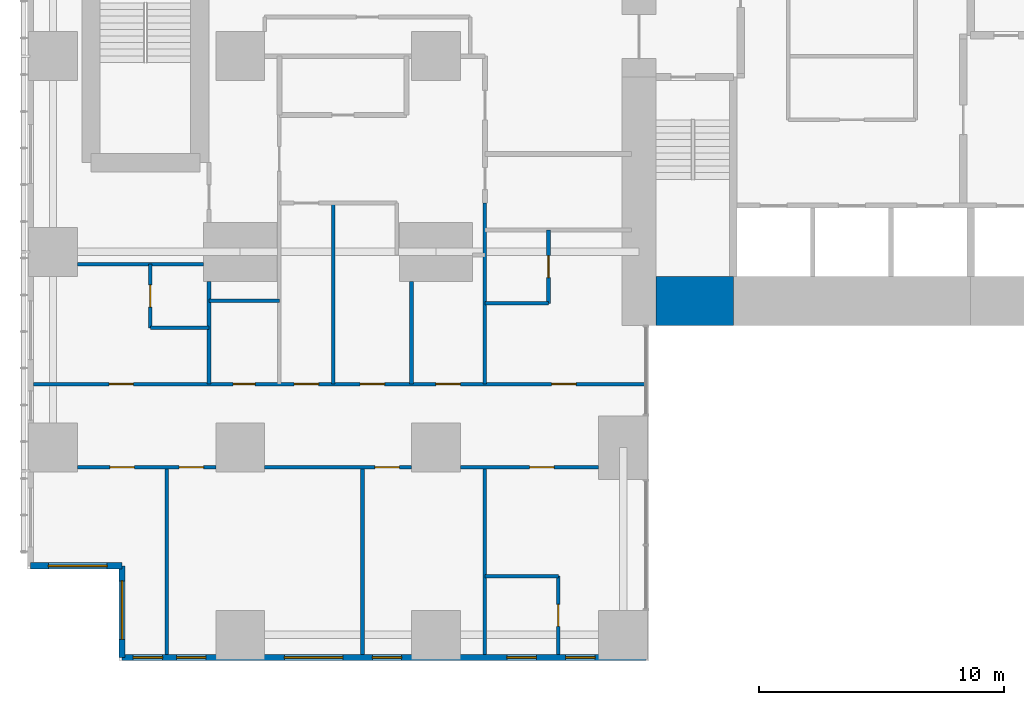
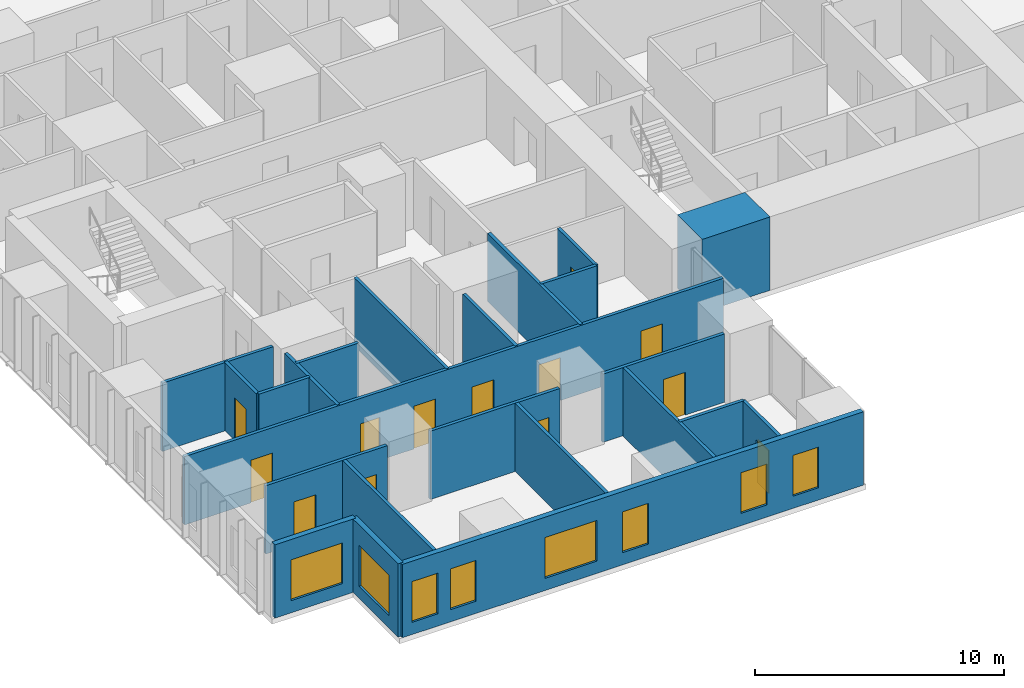
# One storey, part 12 of 21: 23 walls, 13 doors, 8 windows, 21 openings.
"""IFC4 building model written with IfcOpenShell, lengths in metres."""

from ifc_helpers import new_model, si_unit, direction, frame, frame_2d, origin, place, context, subcontext, project, spatial, rectangle, extrude, material, layer, layer_set, type_object, element, fill, save


model = new_model("IFC4")

# Units and contexts
model_context = context("Model", 3, precision=1e-05, world=origin(), true_north=direction((0.0, 1.0)))
body_context = subcontext(model_context, "Body", "Model", "MODEL_VIEW")
ifc_project = project(units=[si_unit("LENGTHUNIT", "METRE"), si_unit("AREAUNIT", "SQUARE_METRE"), si_unit("VOLUMEUNIT", "CUBIC_METRE"), si_unit("PLANEANGLEUNIT", "RADIAN"), si_unit("MASSUNIT", "GRAM", prefix="KILO")], contexts=[model_context])

# Site, building, storey
site_placement = place(None, origin())
site = spatial("IfcSite", under=ifc_project, at=site_placement, CompositionType="ELEMENT")
building_placement = place(site_placement, origin())
building = spatial("IfcBuilding", under=site, at=building_placement, Name="Cleftline Residences", CompositionType="ELEMENT")
storey_placement = place(building_placement, frame((0.0, 0.0, 58.39990234375)))
storey = spatial("IfcBuildingStorey", under=building, at=storey_placement, Name="L14", CompositionType="ELEMENT", Elevation=58.39990234375)

# Wall
ifc_material_1 = material(Name="Concrete B70", Category="concrete")
ifc_layer_1 = layer(ifc_material_1, 2.0)
ifc_layer_set_1 = layer_set([ifc_layer_1], Name="CORE WALL 2000")
wall_type_1 = type_object("IfcWallType", Name="CORE WALL 2000", PredefinedType="SHEAR", material=ifc_layer_set_1)
wall_1_placement = place(storey_placement, frame((25.0, 14.0, 0.0), z_axis=(0.0, 0.0, 1.0), x_axis=(1.0, 0.0, 0.0)))
element("IfcWall", 1, at=wall_1_placement, inside=storey, type_object=wall_type_1, Name="Core wall S1", PredefinedType="SHEAR", context=body_context, shape_type="SweptSolid", body=[
    extrude(rectangle(XDim=3.14990234375, YDim=2.0, at=frame_2d((1.574951171875, 0.0))), origin(), (0.0, 0.0, 1.0), 3.60009765625),
])

# Wall, opening, window
ifc_material_2 = material(Name="Rendered reinforced concrete blockwork", Category="masonry")
ifc_layer_2 = layer(ifc_material_2, 0.25)
ifc_layer_set_2 = layer_set([ifc_layer_2], Name="EXTERNAL WALL 250")
wall_type_2 = type_object("IfcWallType", Name="EXTERNAL WALL 250", PredefinedType="SOLIDWALL", material=ifc_layer_set_2)
wall_2_placement = place(storey_placement, frame((-0.574951171875, 3.175048828125, 0.0), z_axis=(0.0, 0.0, 1.0), x_axis=(1.0, 0.0, 0.0)))
wall_2 = element("IfcWall", 2, at=wall_2_placement, inside=storey, type_object=wall_type_2, Name="External wall", PredefinedType="SOLIDWALL", context=body_context, shape_type="SweptSolid", body=[
    extrude(rectangle(XDim=3.75, YDim=0.25, at=frame_2d((1.875, 0.0))), origin(), (0.0, 0.0, 1.0), 3.60009765625),
])
opening_1_placement = place(wall_2_placement, frame((0.737548828125, 0.0, 0.60009765625)))
opening_1 = element("IfcOpeningElement", 3, at=opening_1_placement, cuts=wall_2, Name="Opening W6", PredefinedType="OPENING", context=body_context, shape_type="SweptSolid", body=[
    extrude(rectangle(XDim=2.39990234375, YDim=2.0, at=frame_2d((1.199951171875, 1.0))), frame((0.0, 0.135009765625, 0.0), z_axis=(0.0, -1.0, 0.0), x_axis=(1.0, 0.0, 0.0)), (0.0, 0.0, 1.0), 0.27001953125),
])
ifc_material_3 = material(Name="Aluminium frame, clear double glazing", Category="aluminium")
window_type_1 = type_object("IfcWindowType", Name="WINDOW 2400X2000", PartitioningType="DOUBLE_PANEL_VERTICAL", PredefinedType="WINDOW", material=ifc_material_3)
window_1_placement = place(opening_1_placement, origin())
window_1 = element("IfcWindow", 4, at=window_1_placement, inside=storey, type_object=window_type_1, Name="Window", OverallHeight=2.0, OverallWidth=2.39990234375, PartitioningType="SINGLE_PANEL", PredefinedType="WINDOW", context=body_context, shape_type="SweptSolid", body=[
    extrude(rectangle(XDim=2.39990234375, YDim=2.0, at=frame_2d((1.199951171875, 1.0))), frame((0.0, 0.030029296875, 0.0), z_axis=(0.0, -1.0, 0.0), x_axis=(1.0, 0.0, 0.0)), (0.0, 0.0, 1.0), 0.06005859375),
])
fill(opening_1, window_1)

wall_3_placement = place(storey_placement, frame((3.175048828125, 3.175048828125, 0.0), z_axis=(0.0, 0.0, 1.0), x_axis=(0.0, -1.0, 0.0)))
wall_3 = element("IfcWall", 5, at=wall_3_placement, inside=storey, type_object=wall_type_2, Name="External wall", PredefinedType="SOLIDWALL", context=body_context, shape_type="SweptSolid", body=[
    extrude(rectangle(XDim=3.75, YDim=0.25, at=frame_2d((1.875, 0.0))), origin(), (0.0, 0.0, 1.0), 3.60009765625),
])
opening_2_placement = place(wall_3_placement, frame((0.612548828125, 0.0, 0.60009765625)))
opening_2 = element("IfcOpeningElement", 6, at=opening_2_placement, cuts=wall_3, Name="Opening W6", PredefinedType="OPENING", context=body_context, shape_type="SweptSolid", body=[
    extrude(rectangle(XDim=2.39990234375, YDim=2.0, at=frame_2d((1.199951171875, 1.0))), frame((0.0, 0.135009765625, 0.0), z_axis=(0.0, -1.0, 0.0), x_axis=(1.0, 0.0, 0.0)), (0.0, 0.0, 1.0), 0.27001953125),
])
window_2_placement = place(opening_2_placement, origin())
window_2 = element("IfcWindow", 7, at=window_2_placement, inside=storey, type_object=window_type_1, Name="Window", OverallHeight=2.0, OverallWidth=2.39990234375, PartitioningType="SINGLE_PANEL", PredefinedType="WINDOW", context=body_context, shape_type="SweptSolid", body=[
    extrude(rectangle(XDim=2.39990234375, YDim=2.0, at=frame_2d((1.199951171875, 1.0))), frame((0.0, 0.030029296875, 0.0), z_axis=(0.0, -1.0, 0.0), x_axis=(1.0, 0.0, 0.0)), (0.0, 0.0, 1.0), 0.06005859375),
])
fill(opening_2, window_2)

# Wall, openings, windows
wall_4_placement = place(storey_placement, frame((3.175048828125, -0.574951171875, 0.0), z_axis=(0.0, 0.0, 1.0), x_axis=(1.0, 0.0, 0.0)))
wall_4 = element("IfcWall", 8, at=wall_4_placement, inside=storey, type_object=wall_type_2, Name="External wall", PredefinedType="SOLIDWALL", context=body_context, shape_type="SweptSolid", body=[
    extrude(rectangle(XDim=21.39990234375, YDim=0.25, at=frame_2d((10.699951171875, 0.0))), origin(), (0.0, 0.0, 1.0), 3.60009765625),
])
opening_3_placement = place(wall_4_placement, frame((0.449951171875, 0.0, 0.60009765625)))
opening_3 = element("IfcOpeningElement", 9, at=opening_3_placement, cuts=wall_4, Name="Opening W8", PredefinedType="OPENING", context=body_context, shape_type="SweptSolid", body=[
    extrude(rectangle(XDim=1.199951171875, YDim=2.0, at=frame_2d((0.60009765625, 1.0))), frame((0.0, 0.135009765625, 0.0), z_axis=(0.0, -1.0, 0.0), x_axis=(1.0, 0.0, 0.0)), (0.0, 0.0, 1.0), 0.27001953125),
])
opening_4_placement = place(wall_4_placement, frame((2.22509765625, 0.0, 0.60009765625)))
opening_4 = element("IfcOpeningElement", 10, at=opening_4_placement, cuts=wall_4, Name="Opening W8", PredefinedType="OPENING", context=body_context, shape_type="SweptSolid", body=[
    extrude(rectangle(XDim=1.199951171875, YDim=2.0, at=frame_2d((0.60009765625, 1.0))), frame((0.0, 0.135009765625, 0.0), z_axis=(0.0, -1.0, 0.0), x_axis=(1.0, 0.0, 0.0)), (0.0, 0.0, 1.0), 0.27001953125),
])
opening_5_placement = place(wall_4_placement, frame((6.625, 0.0, 0.60009765625)))
opening_5 = element("IfcOpeningElement", 11, at=opening_5_placement, cuts=wall_4, Name="Opening W6", PredefinedType="OPENING", context=body_context, shape_type="SweptSolid", body=[
    extrude(rectangle(XDim=2.39990234375, YDim=2.0, at=frame_2d((1.199951171875, 1.0))), frame((0.0, 0.135009765625, 0.0), z_axis=(0.0, -1.0, 0.0), x_axis=(1.0, 0.0, 0.0)), (0.0, 0.0, 1.0), 0.27001953125),
])
opening_6_placement = place(wall_4_placement, frame((10.22509765625, 0.0, 0.60009765625)))
opening_6 = element("IfcOpeningElement", 12, at=opening_6_placement, cuts=wall_4, Name="Opening W8", PredefinedType="OPENING", context=body_context, shape_type="SweptSolid", body=[
    extrude(rectangle(XDim=1.199951171875, YDim=2.0, at=frame_2d((0.60009765625, 1.0))), frame((0.0, 0.135009765625, 0.0), z_axis=(0.0, -1.0, 0.0), x_axis=(1.0, 0.0, 0.0)), (0.0, 0.0, 1.0), 0.27001953125),
])
opening_7_placement = place(wall_4_placement, frame((15.72509765625, 0.0, 0.60009765625)))
opening_7 = element("IfcOpeningElement", 13, at=opening_7_placement, cuts=wall_4, Name="Opening W8", PredefinedType="OPENING", context=body_context, shape_type="SweptSolid", body=[
    extrude(rectangle(XDim=1.199951171875, YDim=2.0, at=frame_2d((0.60009765625, 1.0))), frame((0.0, 0.135009765625, 0.0), z_axis=(0.0, -1.0, 0.0), x_axis=(1.0, 0.0, 0.0)), (0.0, 0.0, 1.0), 0.27001953125),
])
opening_8_placement = place(wall_4_placement, frame((18.125, 0.0, 0.60009765625)))
opening_8 = element("IfcOpeningElement", 14, at=opening_8_placement, cuts=wall_4, Name="Opening W8", PredefinedType="OPENING", context=body_context, shape_type="SweptSolid", body=[
    extrude(rectangle(XDim=1.199951171875, YDim=2.0, at=frame_2d((0.60009765625, 1.0))), frame((0.0, 0.135009765625, 0.0), z_axis=(0.0, -1.0, 0.0), x_axis=(1.0, 0.0, 0.0)), (0.0, 0.0, 1.0), 0.27001953125),
])
ifc_material_4 = material(Name="Aluminium frame, clear double glazing", Category="aluminium")
window_type_2 = type_object("IfcWindowType", Name="WINDOW 1200X2000", PartitioningType="DOUBLE_PANEL_VERTICAL", PredefinedType="WINDOW", material=ifc_material_4)
window_3_placement = place(opening_3_placement, origin())
window_3 = element("IfcWindow", 15, at=window_3_placement, inside=storey, type_object=window_type_2, Name="Window", OverallHeight=2.0, OverallWidth=1.199951171875, PartitioningType="SINGLE_PANEL", PredefinedType="WINDOW", context=body_context, shape_type="SweptSolid", body=[
    extrude(rectangle(XDim=1.199951171875, YDim=2.0, at=frame_2d((0.60009765625, 1.0))), frame((0.0, 0.030029296875, 0.0), z_axis=(0.0, -1.0, 0.0), x_axis=(1.0, 0.0, 0.0)), (0.0, 0.0, 1.0), 0.06005859375),
])
fill(opening_3, window_3)
window_4_placement = place(opening_4_placement, origin())
window_4 = element("IfcWindow", 16, at=window_4_placement, inside=storey, type_object=window_type_2, Name="Window", OverallHeight=2.0, OverallWidth=1.199951171875, PartitioningType="SINGLE_PANEL", PredefinedType="WINDOW", context=body_context, shape_type="SweptSolid", body=[
    extrude(rectangle(XDim=1.199951171875, YDim=2.0, at=frame_2d((0.60009765625, 1.0))), frame((0.0, 0.030029296875, 0.0), z_axis=(0.0, -1.0, 0.0), x_axis=(1.0, 0.0, 0.0)), (0.0, 0.0, 1.0), 0.06005859375),
])
fill(opening_4, window_4)
window_5_placement = place(opening_6_placement, origin())
window_5 = element("IfcWindow", 17, at=window_5_placement, inside=storey, type_object=window_type_2, Name="Window", OverallHeight=2.0, OverallWidth=1.199951171875, PartitioningType="SINGLE_PANEL", PredefinedType="WINDOW", context=body_context, shape_type="SweptSolid", body=[
    extrude(rectangle(XDim=1.199951171875, YDim=2.0, at=frame_2d((0.60009765625, 1.0))), frame((0.0, 0.030029296875, 0.0), z_axis=(0.0, -1.0, 0.0), x_axis=(1.0, 0.0, 0.0)), (0.0, 0.0, 1.0), 0.06005859375),
])
fill(opening_6, window_5)
window_6_placement = place(opening_7_placement, origin())
window_6 = element("IfcWindow", 18, at=window_6_placement, inside=storey, type_object=window_type_2, Name="Window", OverallHeight=2.0, OverallWidth=1.199951171875, PartitioningType="SINGLE_PANEL", PredefinedType="WINDOW", context=body_context, shape_type="SweptSolid", body=[
    extrude(rectangle(XDim=1.199951171875, YDim=2.0, at=frame_2d((0.60009765625, 1.0))), frame((0.0, 0.030029296875, 0.0), z_axis=(0.0, -1.0, 0.0), x_axis=(1.0, 0.0, 0.0)), (0.0, 0.0, 1.0), 0.06005859375),
])
fill(opening_7, window_6)
window_7_placement = place(opening_8_placement, origin())
window_7 = element("IfcWindow", 19, at=window_7_placement, inside=storey, type_object=window_type_2, Name="Window", OverallHeight=2.0, OverallWidth=1.199951171875, PartitioningType="SINGLE_PANEL", PredefinedType="WINDOW", context=body_context, shape_type="SweptSolid", body=[
    extrude(rectangle(XDim=1.199951171875, YDim=2.0, at=frame_2d((0.60009765625, 1.0))), frame((0.0, 0.030029296875, 0.0), z_axis=(0.0, -1.0, 0.0), x_axis=(1.0, 0.0, 0.0)), (0.0, 0.0, 1.0), 0.06005859375),
])
fill(opening_8, window_7)
window_8_placement = place(opening_5_placement, origin())
window_8 = element("IfcWindow", 20, at=window_8_placement, inside=storey, type_object=window_type_1, Name="Window", OverallHeight=2.0, OverallWidth=2.39990234375, PartitioningType="SINGLE_PANEL", PredefinedType="WINDOW", context=body_context, shape_type="SweptSolid", body=[
    extrude(rectangle(XDim=2.39990234375, YDim=2.0, at=frame_2d((1.199951171875, 1.0))), frame((0.0, 0.030029296875, 0.0), z_axis=(0.0, -1.0, 0.0), x_axis=(1.0, 0.0, 0.0)), (0.0, 0.0, 1.0), 0.06005859375),
])
fill(opening_5, window_8)

# Wall
ifc_material_5 = material(Name="Gypsum board on steel studs", Category="steel")
ifc_layer_3 = layer(ifc_material_5, 0.14990234375)
ifc_layer_set_3 = layer_set([ifc_layer_3], Name="PARTITION 150")
wall_type_3 = type_object("IfcWallType", Name="PARTITION 150", PredefinedType="PARTITIONING", material=ifc_layer_set_3)
wall_5_placement = place(storey_placement, frame((18.0, 2.75, 0.0), z_axis=(0.0, 0.0, 1.0), x_axis=(1.0, 0.0, 0.0)))
element("IfcWall", 21, at=wall_5_placement, inside=storey, type_object=wall_type_3, Name="Partition", PredefinedType="PARTITIONING", context=body_context, shape_type="SweptSolid", body=[
    extrude(rectangle(XDim=3.0, YDim=0.14990234375, at=frame_2d((1.5, 0.0))), origin(), (0.0, 0.0, 1.0), 3.35009765625),
])

# Wall, openings, doors
wall_6_placement = place(storey_placement, frame((1.35009765625, 7.199951171875, 0.0), z_axis=(0.0, 0.0, 1.0), x_axis=(1.0, 0.0, 0.0)))
wall_6 = element("IfcWall", 22, at=wall_6_placement, inside=storey, type_object=wall_type_3, Name="Partition", PredefinedType="PARTITIONING", context=body_context, shape_type="SweptSolid", body=[
    extrude(rectangle(XDim=5.64990234375, YDim=0.14990234375, at=frame_2d((2.824951171875, 0.0))), origin(), (0.0, 0.0, 1.0), 3.35009765625),
])
opening_9_placement = place(wall_6_placement, frame((1.324951171875, 0.0, 0.0)))
opening_9 = element("IfcOpeningElement", 23, at=opening_9_placement, cuts=wall_6, Name="Opening D2", PredefinedType="OPENING", context=body_context, shape_type="SweptSolid", body=[
    extrude(rectangle(XDim=1.0, YDim=2.10009765625, at=frame_2d((0.5, 1.050048828125))), frame((0.0, 0.0849609375, 0.0), z_axis=(0.0, -1.0, 0.0), x_axis=(1.0, 0.0, 0.0)), (0.0, 0.0, 1.0), 0.169921875),
])
opening_10_placement = place(wall_6_placement, frame((4.14990234375, 0.0, 0.0)))
opening_10 = element("IfcOpeningElement", 24, at=opening_10_placement, cuts=wall_6, Name="Opening D2", PredefinedType="OPENING", context=body_context, shape_type="SweptSolid", body=[
    extrude(rectangle(XDim=1.0, YDim=2.10009765625, at=frame_2d((0.5, 1.050048828125))), frame((0.0, 0.0849609375, 0.0), z_axis=(0.0, -1.0, 0.0), x_axis=(1.0, 0.0, 0.0)), (0.0, 0.0, 1.0), 0.169921875),
])
ifc_material_6 = material(Name="Timber veneer on solid core", Category="wood")
door_type_1 = type_object("IfcDoorType", Name="DOOR 1000X2100", OperationType="SINGLE_SWING_LEFT", PredefinedType="DOOR", material=ifc_material_6)
door_1_placement = place(opening_9_placement, origin())
door_1 = element("IfcDoor", 25, at=door_1_placement, inside=storey, type_object=door_type_1, Name="Door to winter garden", OperationType="SINGLE_SWING_RIGHT", OverallHeight=2.10009765625, OverallWidth=1.0, PredefinedType="DOOR", context=body_context, shape_type="SweptSolid", body=[
    extrude(rectangle(XDim=1.0, YDim=2.10009765625, at=frame_2d((0.5, 1.050048828125))), frame((0.0, 0.02490234375, 0.0), z_axis=(0.0, -1.0, 0.0), x_axis=(1.0, 0.0, 0.0)), (0.0, 0.0, 1.0), 0.050048828125),
])
fill(opening_9, door_1)
door_2_placement = place(opening_10_placement, origin())
door_2 = element("IfcDoor", 26, at=door_2_placement, inside=storey, type_object=door_type_1, Name="Door to living and dining room", OperationType="SINGLE_SWING_LEFT", OverallHeight=2.10009765625, OverallWidth=1.0, PredefinedType="DOOR", context=body_context, shape_type="SweptSolid", body=[
    extrude(rectangle(XDim=1.0, YDim=2.10009765625, at=frame_2d((0.5, 1.050048828125))), frame((0.0, 0.02490234375, 0.0), z_axis=(0.0, -1.0, 0.0), x_axis=(1.0, 0.0, 0.0)), (0.0, 0.0, 1.0), 0.050048828125),
])
fill(opening_10, door_2)

# Wall, opening, door
wall_7_placement = place(storey_placement, frame((9.0, 7.199951171875, 0.0), z_axis=(0.0, 0.0, 1.0), x_axis=(1.0, 0.0, 0.0)))
wall_7 = element("IfcWall", 27, at=wall_7_placement, inside=storey, type_object=wall_type_3, Name="Partition", PredefinedType="PARTITIONING", context=body_context, shape_type="SweptSolid", body=[
    extrude(rectangle(XDim=6.0, YDim=0.14990234375, at=frame_2d((3.0, 0.0))), origin(), (0.0, 0.0, 1.0), 3.35009765625),
])
opening_11_placement = place(wall_7_placement, frame((4.5, 0.0, 0.0)))
opening_11 = element("IfcOpeningElement", 28, at=opening_11_placement, cuts=wall_7, Name="Opening D2", PredefinedType="OPENING", context=body_context, shape_type="SweptSolid", body=[
    extrude(rectangle(XDim=1.0, YDim=2.10009765625, at=frame_2d((0.5, 1.050048828125))), frame((0.0, 0.0849609375, 0.0), z_axis=(0.0, -1.0, 0.0), x_axis=(1.0, 0.0, 0.0)), (0.0, 0.0, 1.0), 0.169921875),
])
door_3_placement = place(opening_11_placement, origin())
door_3 = element("IfcDoor", 29, at=door_3_placement, inside=storey, type_object=door_type_1, Name="Door to show kitchen", OperationType="SINGLE_SWING_LEFT", OverallHeight=2.10009765625, OverallWidth=1.0, PredefinedType="DOOR", context=body_context, shape_type="SweptSolid", body=[
    extrude(rectangle(XDim=1.0, YDim=2.10009765625, at=frame_2d((0.5, 1.050048828125))), frame((0.0, 0.02490234375, 0.0), z_axis=(0.0, -1.0, 0.0), x_axis=(1.0, 0.0, 0.0)), (0.0, 0.0, 1.0), 0.050048828125),
])
fill(opening_11, door_3)

wall_8_placement = place(storey_placement, frame((17.0, 7.199951171875, 0.0), z_axis=(0.0, 0.0, 1.0), x_axis=(1.0, 0.0, 0.0)))
wall_8 = element("IfcWall", 30, at=wall_8_placement, inside=storey, type_object=wall_type_3, Name="Partition", PredefinedType="PARTITIONING", context=body_context, shape_type="SweptSolid", body=[
    extrude(rectangle(XDim=5.64990234375, YDim=0.14990234375, at=frame_2d((2.824951171875, 0.0))), origin(), (0.0, 0.0, 1.0), 3.35009765625),
])
opening_12_placement = place(wall_8_placement, frame((2.824951171875, 0.0, 0.0)))
opening_12 = element("IfcOpeningElement", 31, at=opening_12_placement, cuts=wall_8, Name="Opening D2", PredefinedType="OPENING", context=body_context, shape_type="SweptSolid", body=[
    extrude(rectangle(XDim=1.0, YDim=2.10009765625, at=frame_2d((0.5, 1.050048828125))), frame((0.0, 0.0849609375, 0.0), z_axis=(0.0, -1.0, 0.0), x_axis=(1.0, 0.0, 0.0)), (0.0, 0.0, 1.0), 0.169921875),
])
door_4_placement = place(opening_12_placement, origin())
door_4 = element("IfcDoor", 32, at=door_4_placement, inside=storey, type_object=door_type_1, Name="Door to master bedroom", OperationType="SINGLE_SWING_LEFT", OverallHeight=2.10009765625, OverallWidth=1.0, PredefinedType="DOOR", context=body_context, shape_type="SweptSolid", body=[
    extrude(rectangle(XDim=1.0, YDim=2.10009765625, at=frame_2d((0.5, 1.050048828125))), frame((0.0, 0.02490234375, 0.0), z_axis=(0.0, -1.0, 0.0), x_axis=(1.0, 0.0, 0.0)), (0.0, 0.0, 1.0), 0.050048828125),
])
fill(opening_12, door_4)

# Wall, openings, doors
wall_9_placement = place(storey_placement, frame((-0.449951171875, 10.60009765625, 0.0), z_axis=(0.0, 0.0, 1.0), x_axis=(1.0, 0.0, 0.0)))
wall_9 = element("IfcWall", 33, at=wall_9_placement, inside=storey, type_object=wall_type_3, Name="Partition", PredefinedType="PARTITIONING", context=body_context, shape_type="SweptSolid", body=[
    extrude(rectangle(XDim=25.010986328125, YDim=0.14990234375, at=frame_2d((12.50537109375, 0.0))), origin(), (0.0, 0.0, 1.0), 3.35009765625),
])
opening_13_placement = place(wall_9_placement, frame((10.64990234375, 0.0, 0.0)))
opening_13 = element("IfcOpeningElement", 34, at=opening_13_placement, cuts=wall_9, Name="Opening D2", PredefinedType="OPENING", context=body_context, shape_type="SweptSolid", body=[
    extrude(rectangle(XDim=1.0, YDim=2.10009765625, at=frame_2d((0.5, 1.050048828125))), frame((0.0, 0.0849609375, 0.0), z_axis=(0.0, -1.0, 0.0), x_axis=(1.0, 0.0, 0.0)), (0.0, 0.0, 1.0), 0.169921875),
])
opening_14_placement = place(wall_9_placement, frame((3.08740234375, 0.0, 0.0)))
opening_14 = element("IfcOpeningElement", 35, at=opening_14_placement, cuts=wall_9, Name="Opening D2", PredefinedType="OPENING", context=body_context, shape_type="SweptSolid", body=[
    extrude(rectangle(XDim=1.0, YDim=2.10009765625, at=frame_2d((0.5, 1.050048828125))), frame((0.0, 0.0849609375, 0.0), z_axis=(0.0, -1.0, 0.0), x_axis=(1.0, 0.0, 0.0)), (0.0, 0.0, 1.0), 0.169921875),
])
opening_15_placement = place(wall_9_placement, frame((8.16259765625, 0.0, 0.0)))
opening_15 = element("IfcOpeningElement", 36, at=opening_15_placement, cuts=wall_9, Name="Opening D1", PredefinedType="OPENING", context=body_context, shape_type="SweptSolid", body=[
    extrude(rectangle(XDim=0.89990234375, YDim=2.10009765625, at=frame_2d((0.449951171875, 1.050048828125))), frame((0.0, 0.0849609375, 0.0), z_axis=(0.0, -1.0, 0.0), x_axis=(1.0, 0.0, 0.0)), (0.0, 0.0, 1.0), 0.169921875),
])
opening_16_placement = place(wall_9_placement, frame((13.35009765625, 0.0, 0.0)))
opening_16 = element("IfcOpeningElement", 37, at=opening_16_placement, cuts=wall_9, Name="Opening D2", PredefinedType="OPENING", context=body_context, shape_type="SweptSolid", body=[
    extrude(rectangle(XDim=1.0, YDim=2.10009765625, at=frame_2d((0.5, 1.050048828125))), frame((0.0, 0.0849609375, 0.0), z_axis=(0.0, -1.0, 0.0), x_axis=(1.0, 0.0, 0.0)), (0.0, 0.0, 1.0), 0.169921875),
])
opening_17_placement = place(wall_9_placement, frame((16.449951171875, 0.0, 0.0)))
opening_17 = element("IfcOpeningElement", 38, at=opening_17_placement, cuts=wall_9, Name="Opening D2", PredefinedType="OPENING", context=body_context, shape_type="SweptSolid", body=[
    extrude(rectangle(XDim=1.0, YDim=2.10009765625, at=frame_2d((0.5, 1.050048828125))), frame((0.0, 0.0849609375, 0.0), z_axis=(0.0, -1.0, 0.0), x_axis=(1.0, 0.0, 0.0)), (0.0, 0.0, 1.0), 0.169921875),
])
opening_18_placement = place(wall_9_placement, frame((21.175048828125, 0.0, 0.0)))
opening_18 = element("IfcOpeningElement", 39, at=opening_18_placement, cuts=wall_9, Name="Opening D2", PredefinedType="OPENING", context=body_context, shape_type="SweptSolid", body=[
    extrude(rectangle(XDim=1.0, YDim=2.10009765625, at=frame_2d((0.5, 1.050048828125))), frame((0.0, 0.0849609375, 0.0), z_axis=(0.0, -1.0, 0.0), x_axis=(1.0, 0.0, 0.0)), (0.0, 0.0, 1.0), 0.169921875),
])
door_5_placement = place(opening_13_placement, origin())
door_5 = element("IfcDoor", 40, at=door_5_placement, inside=storey, type_object=door_type_1, Name="Door to residence hall", OperationType="SINGLE_SWING_RIGHT", OverallHeight=2.10009765625, OverallWidth=1.0, PredefinedType="DOOR", context=body_context, shape_type="SweptSolid", body=[
    extrude(rectangle(XDim=1.0, YDim=2.10009765625, at=frame_2d((0.5, 1.050048828125))), frame((0.0, 0.02490234375, 0.0), z_axis=(0.0, -1.0, 0.0), x_axis=(1.0, 0.0, 0.0)), (0.0, 0.0, 1.0), 0.050048828125),
])
fill(opening_13, door_5)
door_6_placement = place(opening_14_placement, origin())
door_6 = element("IfcDoor", 41, at=door_6_placement, inside=storey, type_object=door_type_1, Name="Door to bedroom 2", OperationType="SINGLE_SWING_RIGHT", OverallHeight=2.10009765625, OverallWidth=1.0, PredefinedType="DOOR", context=body_context, shape_type="SweptSolid", body=[
    extrude(rectangle(XDim=1.0, YDim=2.10009765625, at=frame_2d((0.5, 1.050048828125))), frame((0.0, 0.02490234375, 0.0), z_axis=(0.0, -1.0, 0.0), x_axis=(1.0, 0.0, 0.0)), (0.0, 0.0, 1.0), 0.050048828125),
])
fill(opening_14, door_6)
door_7_placement = place(opening_16_placement, origin())
door_7 = element("IfcDoor", 42, at=door_7_placement, inside=storey, type_object=door_type_1, Name="Door to family room", OperationType="SINGLE_SWING_LEFT", OverallHeight=2.10009765625, OverallWidth=1.0, PredefinedType="DOOR", context=body_context, shape_type="SweptSolid", body=[
    extrude(rectangle(XDim=1.0, YDim=2.10009765625, at=frame_2d((0.5, 1.050048828125))), frame((0.0, 0.02490234375, 0.0), z_axis=(0.0, -1.0, 0.0), x_axis=(1.0, 0.0, 0.0)), (0.0, 0.0, 1.0), 0.050048828125),
])
fill(opening_16, door_7)
door_8_placement = place(opening_17_placement, origin())
door_8 = element("IfcDoor", 43, at=door_8_placement, inside=storey, type_object=door_type_1, Name="Door to wet kitchen", OperationType="SINGLE_SWING_LEFT", OverallHeight=2.10009765625, OverallWidth=1.0, PredefinedType="DOOR", context=body_context, shape_type="SweptSolid", body=[
    extrude(rectangle(XDim=1.0, YDim=2.10009765625, at=frame_2d((0.5, 1.050048828125))), frame((0.0, 0.02490234375, 0.0), z_axis=(0.0, -1.0, 0.0), x_axis=(1.0, 0.0, 0.0)), (0.0, 0.0, 1.0), 0.050048828125),
])
fill(opening_17, door_8)
door_9_placement = place(opening_18_placement, origin())
door_9 = element("IfcDoor", 44, at=door_9_placement, inside=storey, type_object=door_type_1, Name="Door to bedroom 3", OperationType="SINGLE_SWING_LEFT", OverallHeight=2.10009765625, OverallWidth=1.0, PredefinedType="DOOR", context=body_context, shape_type="SweptSolid", body=[
    extrude(rectangle(XDim=1.0, YDim=2.10009765625, at=frame_2d((0.5, 1.050048828125))), frame((0.0, 0.02490234375, 0.0), z_axis=(0.0, -1.0, 0.0), x_axis=(1.0, 0.0, 0.0)), (0.0, 0.0, 1.0), 0.050048828125),
])
fill(opening_18, door_9)
ifc_material_7 = material(Name="Timber veneer on solid core", Category="wood")
door_type_2 = type_object("IfcDoorType", Name="DOOR 900X2100", OperationType="SINGLE_SWING_LEFT", PredefinedType="DOOR", material=ifc_material_7)
door_10_placement = place(opening_15_placement, origin())
door_10 = element("IfcDoor", 45, at=door_10_placement, inside=storey, type_object=door_type_2, Name="Door to linen store", OperationType="SINGLE_SWING_RIGHT", OverallHeight=2.10009765625, OverallWidth=0.89990234375, PredefinedType="DOOR", context=body_context, shape_type="SweptSolid", body=[
    extrude(rectangle(XDim=0.89990234375, YDim=2.10009765625, at=frame_2d((0.449951171875, 1.050048828125))), frame((0.0, 0.02490234375, 0.0), z_axis=(0.0, -1.0, 0.0), x_axis=(1.0, 0.0, 0.0)), (0.0, 0.0, 1.0), 0.050048828125),
])
fill(opening_15, door_10)

# Walls
wall_10_placement = place(storey_placement, frame((4.324951171875, 12.89990234375, 0.0), z_axis=(0.0, 0.0, 1.0), x_axis=(1.0, 0.0, 0.0)))
element("IfcWall", 46, at=wall_10_placement, inside=storey, type_object=wall_type_3, Name="Partition", PredefinedType="PARTITIONING", context=body_context, shape_type="SweptSolid", body=[
    extrude(rectangle(XDim=2.400146484375, YDim=0.14990234375, at=frame_2d((1.2001953125, 0.0))), origin(), (0.0, 0.0, 1.0), 3.35009765625),
])
wall_11_placement = place(storey_placement, frame((18.0, 13.89990234375, 0.0), z_axis=(0.0, 0.0, 1.0), x_axis=(1.0, 0.0, 0.0)))
element("IfcWall", 47, at=wall_11_placement, inside=storey, type_object=wall_type_3, Name="Partition", PredefinedType="PARTITIONING", context=body_context, shape_type="SweptSolid", body=[
    extrude(rectangle(XDim=2.60009765625, YDim=0.14990234375, at=frame_2d((1.300048828125, 0.0))), origin(), (0.0, 0.0, 1.0), 3.35009765625),
])
wall_12_placement = place(storey_placement, frame((6.72509765625, 14.0, 0.0), z_axis=(0.0, 0.0, 1.0), x_axis=(1.0, 0.0, 0.0)))
element("IfcWall", 48, at=wall_12_placement, inside=storey, type_object=wall_type_3, Name="Partition", PredefinedType="PARTITIONING", context=body_context, shape_type="SweptSolid", body=[
    extrude(rectangle(XDim=2.875, YDim=0.14990234375, at=frame_2d((1.4375, 0.0))), origin(), (0.0, 0.0, 1.0), 3.35009765625),
])
wall_13_placement = place(storey_placement, frame((1.35009765625, 15.5, 0.0), z_axis=(0.0, 0.0, 1.0), x_axis=(1.0, 0.0, 0.0)))
element("IfcWall", 49, at=wall_13_placement, inside=storey, type_object=wall_type_3, Name="Partition", PredefinedType="PARTITIONING", context=body_context, shape_type="SweptSolid", body=[
    extrude(rectangle(XDim=5.14990234375, YDim=0.14990234375, at=frame_2d((2.574951171875, 0.0))), origin(), (0.0, 0.0, 1.0), 3.35009765625),
])

# Wall, opening, door
wall_14_placement = place(storey_placement, frame((4.324951171875, 12.89990234375, 0.0), z_axis=(0.0, 0.0, 1.0), x_axis=(0.0, 1.0, 0.0)))
wall_14 = element("IfcWall", 50, at=wall_14_placement, inside=storey, type_object=wall_type_3, Name="Partition", PredefinedType="PARTITIONING", context=body_context, shape_type="SweptSolid", body=[
    extrude(rectangle(XDim=2.60009765625, YDim=0.14990234375, at=frame_2d((1.300048828125, 0.0))), origin(), (0.0, 0.0, 1.0), 3.35009765625),
])
opening_19_placement = place(wall_14_placement, frame((0.85009765625, 0.0, 0.0)))
opening_19 = element("IfcOpeningElement", 51, at=opening_19_placement, cuts=wall_14, Name="Opening D1", PredefinedType="OPENING", context=body_context, shape_type="SweptSolid", body=[
    extrude(rectangle(XDim=0.89990234375, YDim=2.10009765625, at=frame_2d((0.449951171875, 1.050048828125))), frame((0.0, 0.0849609375, 0.0), z_axis=(0.0, -1.0, 0.0), x_axis=(1.0, 0.0, 0.0)), (0.0, 0.0, 1.0), 0.169921875),
])
door_11_placement = place(opening_19_placement, origin())
door_11 = element("IfcDoor", 52, at=door_11_placement, inside=storey, type_object=door_type_2, Name="Door to en-suite bathroom 2", OperationType="SINGLE_SWING_LEFT", OverallHeight=2.10009765625, OverallWidth=0.89990234375, PredefinedType="DOOR", context=body_context, shape_type="SweptSolid", body=[
    extrude(rectangle(XDim=0.89990234375, YDim=2.10009765625, at=frame_2d((0.449951171875, 1.050048828125))), frame((0.0, 0.02490234375, 0.0), z_axis=(0.0, -1.0, 0.0), x_axis=(1.0, 0.0, 0.0)), (0.0, 0.0, 1.0), 0.050048828125),
])
fill(opening_19, door_11)

# Walls
wall_15_placement = place(storey_placement, frame((5.0, -0.449951171875, 0.0), z_axis=(0.0, 0.0, 1.0), x_axis=(0.0, 1.0, 0.0)))
element("IfcWall", 53, at=wall_15_placement, inside=storey, type_object=wall_type_3, Name="Partition", PredefinedType="PARTITIONING", context=body_context, shape_type="SweptSolid", body=[
    extrude(rectangle(XDim=7.64990234375, YDim=0.14990234375, at=frame_2d((3.824951171875, 0.0))), origin(), (0.0, 0.0, 1.0), 3.35009765625),
])
wall_16_placement = place(storey_placement, frame((6.72509765625, 10.60009765625, 0.0), z_axis=(0.0, 0.0, 1.0), x_axis=(0.0, 1.0, 0.0)))
element("IfcWall", 54, at=wall_16_placement, inside=storey, type_object=wall_type_3, Name="Partition", PredefinedType="PARTITIONING", context=body_context, shape_type="SweptSolid", body=[
    extrude(rectangle(XDim=4.199951171875, YDim=0.14990234375, at=frame_2d((2.10009765625, 0.0))), origin(), (0.0, 0.0, 1.0), 3.35009765625),
])
wall_17_placement = place(storey_placement, frame((11.800048828125, 10.60009765625, 0.0), z_axis=(0.0, 0.0, 1.0), x_axis=(0.0, 1.0, 0.0)))
element("IfcWall", 55, at=wall_17_placement, inside=storey, type_object=wall_type_3, Name="Partition", PredefinedType="PARTITIONING", context=body_context, shape_type="SweptSolid", body=[
    extrude(rectangle(XDim=7.39990234375, YDim=0.14990234375, at=frame_2d((3.699951171875, 0.0))), origin(), (0.0, 0.0, 1.0), 3.35009765625),
])
wall_18_placement = place(storey_placement, frame((13.0, -0.449951171875, 0.0), z_axis=(0.0, 0.0, 1.0), x_axis=(0.0, 1.0, 0.0)))
element("IfcWall", 56, at=wall_18_placement, inside=storey, type_object=wall_type_3, Name="Partition", PredefinedType="PARTITIONING", context=body_context, shape_type="SweptSolid", body=[
    extrude(rectangle(XDim=7.64990234375, YDim=0.14990234375, at=frame_2d((3.824951171875, 0.0))), origin(), (0.0, 0.0, 1.0), 3.35009765625),
])
wall_19_placement = place(storey_placement, frame((15.0, 10.60009765625, 0.0), z_axis=(0.0, 0.0, 1.0), x_axis=(0.0, 1.0, 0.0)))
element("IfcWall", 57, at=wall_19_placement, inside=storey, type_object=wall_type_3, Name="Partition", PredefinedType="PARTITIONING", context=body_context, shape_type="SweptSolid", body=[
    extrude(rectangle(XDim=4.199951171875, YDim=0.14990234375, at=frame_2d((2.10009765625, 0.0))), origin(), (0.0, 0.0, 1.0), 3.35009765625),
])
wall_20_placement = place(storey_placement, frame((18.0, -0.449951171875, 0.0), z_axis=(0.0, 0.0, 1.0), x_axis=(0.0, 1.0, 0.0)))
element("IfcWall", 58, at=wall_20_placement, inside=storey, type_object=wall_type_3, Name="Partition", PredefinedType="PARTITIONING", context=body_context, shape_type="SweptSolid", body=[
    extrude(rectangle(XDim=7.64990234375, YDim=0.14990234375, at=frame_2d((3.824951171875, 0.0))), origin(), (0.0, 0.0, 1.0), 3.35009765625),
])
wall_21_placement = place(storey_placement, frame((18.0, 10.60009765625, 0.0), z_axis=(0.0, 0.0, 1.0), x_axis=(0.0, 1.0, 0.0)))
element("IfcWall", 59, at=wall_21_placement, inside=storey, type_object=wall_type_3, Name="Partition", PredefinedType="PARTITIONING", context=body_context, shape_type="SweptSolid", body=[
    extrude(rectangle(XDim=7.39990234375, YDim=0.14990234375, at=frame_2d((3.699951171875, 0.0))), origin(), (0.0, 0.0, 1.0), 3.35009765625),
])

# Wall, opening, door
wall_22_placement = place(storey_placement, frame((20.60009765625, 13.89990234375, 0.0), z_axis=(0.0, 0.0, 1.0), x_axis=(0.0, 1.0, 0.0)))
wall_22 = element("IfcWall", 60, at=wall_22_placement, inside=storey, type_object=wall_type_3, Name="Partition", PredefinedType="PARTITIONING", context=body_context, shape_type="SweptSolid", body=[
    extrude(rectangle(XDim=3.0, YDim=0.14990234375, at=frame_2d((1.5, 0.0))), origin(), (0.0, 0.0, 1.0), 3.35009765625),
])
opening_20_placement = place(wall_22_placement, frame((1.050048828125, 0.0, 0.0)))
opening_20 = element("IfcOpeningElement", 61, at=opening_20_placement, cuts=wall_22, Name="Opening D1", PredefinedType="OPENING", context=body_context, shape_type="SweptSolid", body=[
    extrude(rectangle(XDim=0.89990234375, YDim=2.10009765625, at=frame_2d((0.449951171875, 1.050048828125))), frame((0.0, 0.0849609375, 0.0), z_axis=(0.0, -1.0, 0.0), x_axis=(1.0, 0.0, 0.0)), (0.0, 0.0, 1.0), 0.169921875),
])
door_12_placement = place(opening_20_placement, origin())
door_12 = element("IfcDoor", 62, at=door_12_placement, inside=storey, type_object=door_type_2, Name="Door to en-suite bathroom 3", OperationType="SINGLE_SWING_LEFT", OverallHeight=2.10009765625, OverallWidth=0.89990234375, PredefinedType="DOOR", context=body_context, shape_type="SweptSolid", body=[
    extrude(rectangle(XDim=0.89990234375, YDim=2.10009765625, at=frame_2d((0.449951171875, 1.050048828125))), frame((0.0, 0.02490234375, 0.0), z_axis=(0.0, -1.0, 0.0), x_axis=(1.0, 0.0, 0.0)), (0.0, 0.0, 1.0), 0.050048828125),
])
fill(opening_20, door_12)

wall_23_placement = place(storey_placement, frame((21.0, -0.449951171875, 0.0), z_axis=(0.0, 0.0, 1.0), x_axis=(0.0, 1.0, 0.0)))
wall_23 = element("IfcWall", 63, at=wall_23_placement, inside=storey, type_object=wall_type_3, Name="Partition", PredefinedType="PARTITIONING", context=body_context, shape_type="SweptSolid", body=[
    extrude(rectangle(XDim=3.199951171875, YDim=0.14990234375, at=frame_2d((1.60009765625, 0.0))), origin(), (0.0, 0.0, 1.0), 3.35009765625),
])
opening_21_placement = place(wall_23_placement, frame((1.14990234375, 0.0, 0.0)))
opening_21 = element("IfcOpeningElement", 64, at=opening_21_placement, cuts=wall_23, Name="Opening D1", PredefinedType="OPENING", context=body_context, shape_type="SweptSolid", body=[
    extrude(rectangle(XDim=0.89990234375, YDim=2.10009765625, at=frame_2d((0.449951171875, 1.050048828125))), frame((0.0, 0.0849609375, 0.0), z_axis=(0.0, -1.0, 0.0), x_axis=(1.0, 0.0, 0.0)), (0.0, 0.0, 1.0), 0.169921875),
])
door_13_placement = place(opening_21_placement, origin())
door_13 = element("IfcDoor", 65, at=door_13_placement, inside=storey, type_object=door_type_2, Name="Door to master bathroom", OperationType="SINGLE_SWING_LEFT", OverallHeight=2.10009765625, OverallWidth=0.89990234375, PredefinedType="DOOR", context=body_context, shape_type="SweptSolid", body=[
    extrude(rectangle(XDim=0.89990234375, YDim=2.10009765625, at=frame_2d((0.449951171875, 1.050048828125))), frame((0.0, 0.02490234375, 0.0), z_axis=(0.0, -1.0, 0.0), x_axis=(1.0, 0.0, 0.0)), (0.0, 0.0, 1.0), 0.050048828125),
])
fill(opening_21, door_13)

save(model, "model.ifc")
